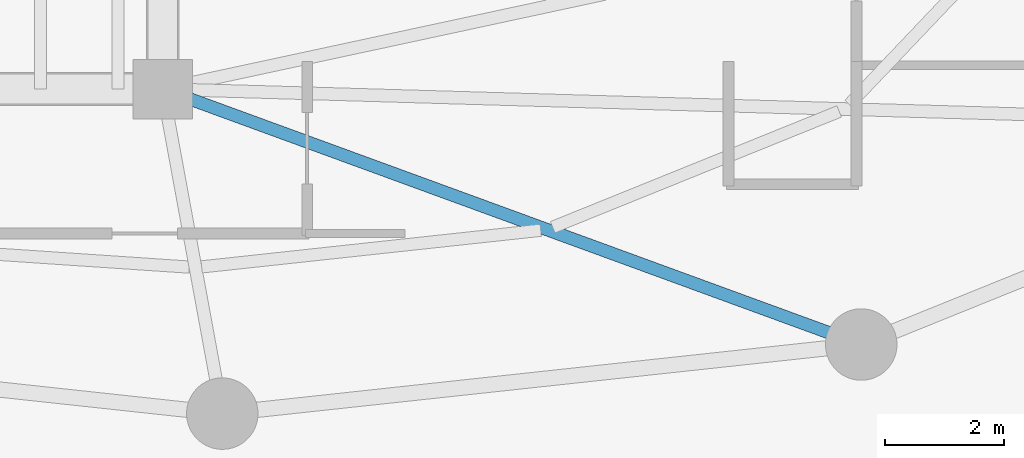
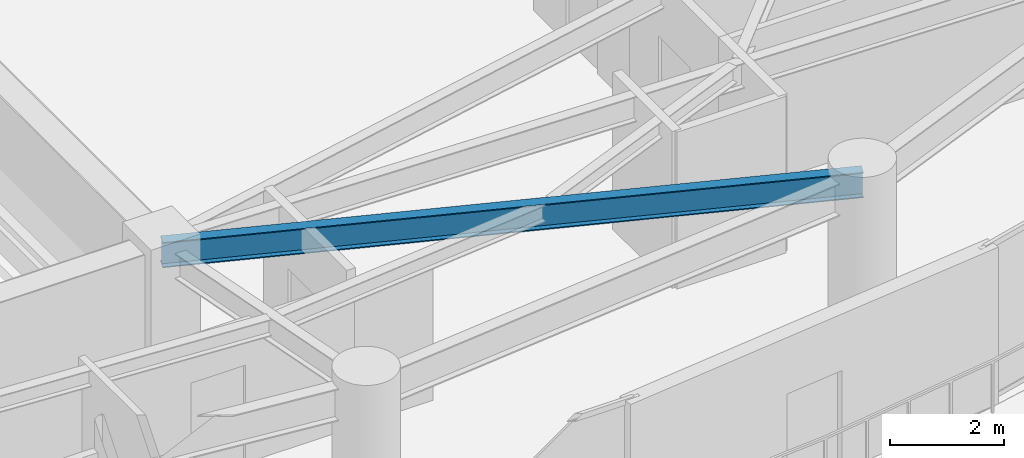
# One storey, part 11 of 33: 1 beam.
"""IFC4 building model written with IfcOpenShell, lengths in metres."""

from ifc_helpers import new_model, si_unit, direction, frame, origin, origin_2d, place, context, subcontext, project, spatial, i_section, extrude, material, material_profile, profile_set, type_object, element, save


model = new_model("IFC4")

# Units and contexts
model_context = context("Model", 3, precision=1e-05, world=origin(), true_north=direction((0.0, 1.0)))
body_context = subcontext(model_context, "Body", "Model", "MODEL_VIEW")
ifc_project = project(units=[si_unit("LENGTHUNIT", "METRE"), si_unit("AREAUNIT", "SQUARE_METRE"), si_unit("VOLUMEUNIT", "CUBIC_METRE"), si_unit("PLANEANGLEUNIT", "RADIAN"), si_unit("MASSUNIT", "GRAM", prefix="KILO")], contexts=[model_context])

# Site, building, storey
site_placement = place(None, origin())
site = spatial("IfcSite", under=ifc_project, at=site_placement, CompositionType="ELEMENT")
building_placement = place(site_placement, origin())
building = spatial("IfcBuilding", under=site, at=building_placement, Name="Kazevale Care Tower and Concert Hall", CompositionType="ELEMENT")
storey_placement = place(building_placement, frame((0.0, 0.0, 153.0)))
storey = spatial("IfcBuildingStorey", under=building, at=storey_placement, Name="L40", CompositionType="ELEMENT", Elevation=153.0)

# Beam
ifc_material = material(Name="Steel ASTM A572 Gr 50", Category="steel")
ifc_material_profile = material_profile(ifc_material, i_section(OverallWidth=0.2119140625, OverallDepth=0.5439453125, WebThickness=0.01318359375, FlangeThickness=0.021240234375, at=origin_2d()), Name="W530x123")
ifc_profile_set = profile_set([ifc_material_profile], Name="Steel ASTM A572 Gr 50")
beam_type = type_object("IfcBeamType", Name="Radial Floor Girder W530x123", PredefinedType="BEAM", material=ifc_profile_set)
beam_placement = place(storey_placement, frame((44.0, 23.60009765625, 3.087890625), z_axis=(0.939159459123, -0.343481455599, 0.0), x_axis=(0.343481455599, 0.939159459123, 0.0)))
element("IfcBeam", 1, at=beam_placement, inside=storey, type_object=beam_type, Name="beam:L40:rad:14", PredefinedType="BEAM", context=body_context, shape_type="SweptSolid", body=[
    extrude(i_section(OverallWidth=0.2119140625, OverallDepth=0.5439453125, WebThickness=0.01318359375, FlangeThickness=0.021240234375, at=origin_2d()), origin(), (0.0, 0.0, 1.0), 12.489990234375),
])

save(model, "model.ifc")
